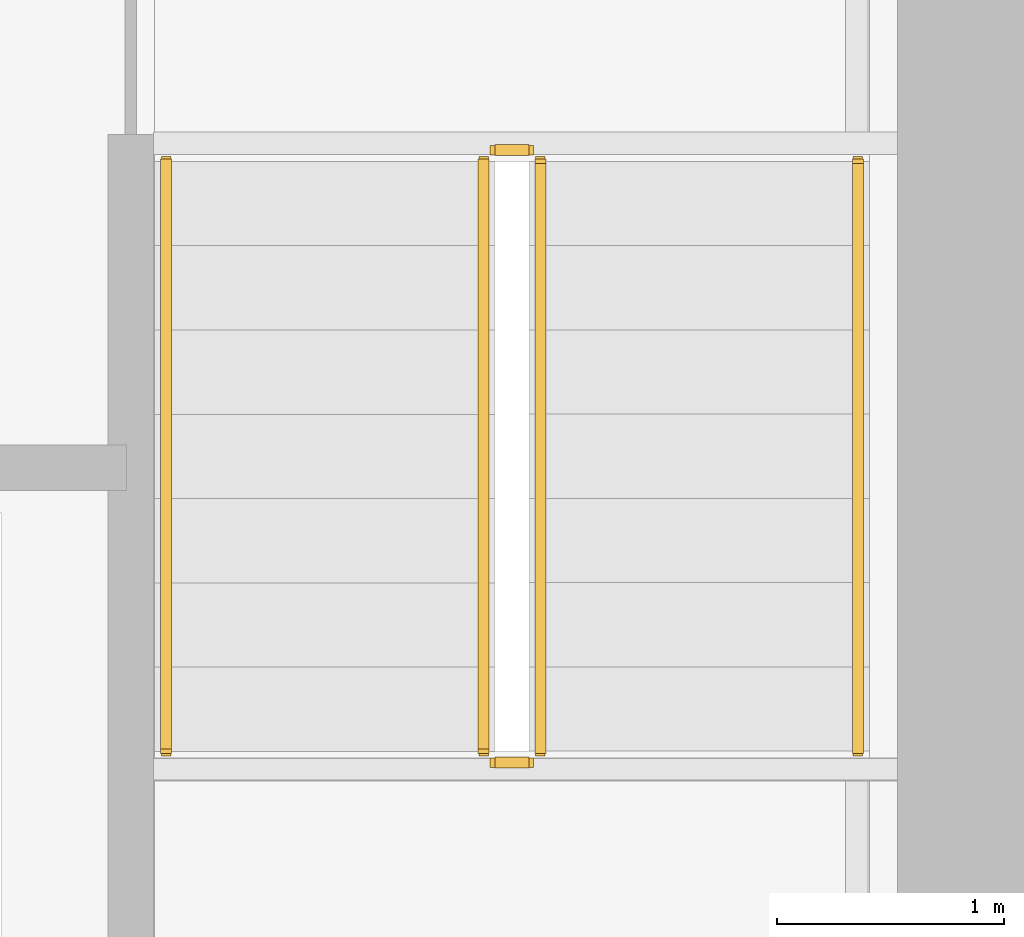
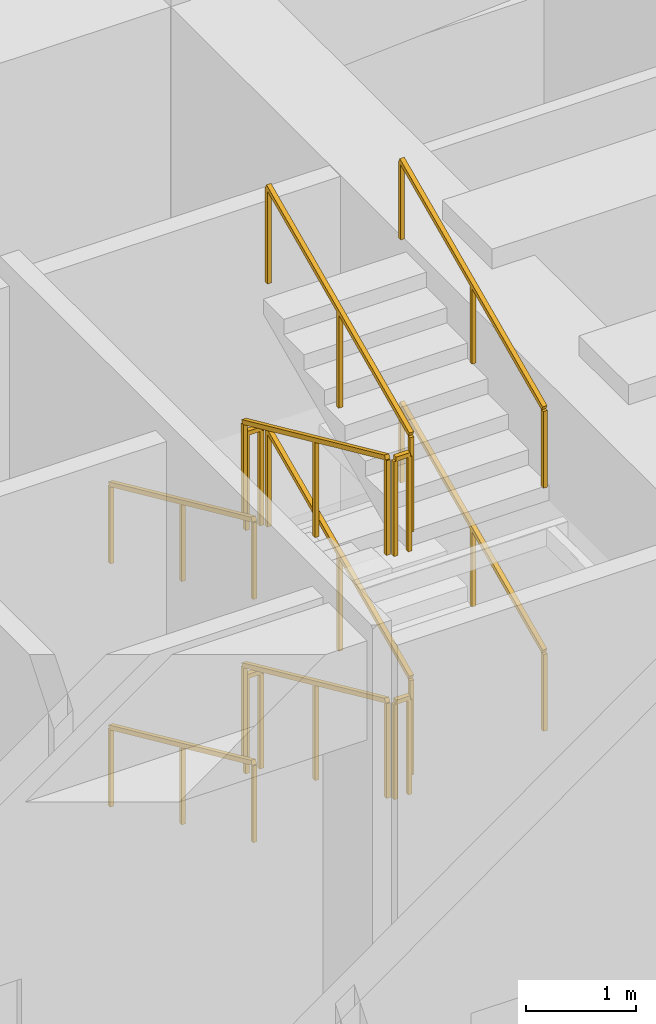
# One storey, part 11 of 12: 12 railings.
"""IFC4 building model written with IfcOpenShell, lengths in metres."""

from ifc_helpers import new_model, si_unit, direction, frame, origin, origin_2d, place, context, subcontext, project, spatial, rectangle, extrude, material, type_object, element, save


model = new_model("IFC4")

# Units and contexts
model_context = context("Model", 3, precision=1e-05, world=origin(), true_north=direction((0.0, 1.0)))
body_context = subcontext(model_context, "Body", "Model", "MODEL_VIEW")
ifc_project = project(units=[si_unit("LENGTHUNIT", "METRE"), si_unit("AREAUNIT", "SQUARE_METRE"), si_unit("VOLUMEUNIT", "CUBIC_METRE"), si_unit("PLANEANGLEUNIT", "RADIAN"), si_unit("MASSUNIT", "GRAM", prefix="KILO")], contexts=[model_context])

# Site, building, storey
site_placement = place(None, origin())
site = spatial("IfcSite", under=ifc_project, at=site_placement, CompositionType="ELEMENT")
building_placement = place(site_placement, origin())
building = spatial("IfcBuilding", under=site, at=building_placement, Name="Cinnabar Lancet Tower", CompositionType="ELEMENT")
storey_placement = place(building_placement, frame((0.0, 0.0, 19.5)))
storey = spatial("IfcBuildingStorey", under=building, at=storey_placement, Name="L04", CompositionType="ELEMENT", Elevation=19.5)

# Railings
ifc_material_1 = material(Name="Painted galvanized steel balustrade", Category="steel")
railing_type_1 = type_object("IfcRailingType", Name="GUARD-STAIR", PredefinedType="GUARDRAIL", material=ifc_material_1)
railing_1_placement = place(storey_placement, frame((39.574951171875, 28.39990234375, 0.168701171875)))
element("IfcRailing", 1, at=railing_1_placement, inside=storey, type_object=railing_type_1, Name="L04 ST-2 stair guard 1", PredefinedType="GUARDRAIL", context=body_context, shape_type="SweptSolid", body=[
    extrude(rectangle(XDim=0.048095703125, YDim=0.048095703125, at=origin_2d()), frame((0.0, 0.0, 1.076171875), z_axis=(0.0, -0.910398683421, 0.413732083872), x_axis=(1.0, 0.0, 0.0)), (0.0, 0.0, 1.0), 2.85546875),
    extrude(rectangle(XDim=0.0419921875, YDim=0.0419921875, at=origin_2d()), origin(), (0.0, 0.0, 1.0), 1.052001953125),
    extrude(rectangle(XDim=0.0419921875, YDim=0.0419921875, at=origin_2d()), frame((0.0, -1.2998046875, 0.5908203125)), (0.0, 0.0, 1.0), 1.052001953125),
    extrude(rectangle(XDim=0.0419921875, YDim=0.0419921875, at=origin_2d()), frame((0.0, -2.599609375, 1.181396484375)), (0.0, 0.0, 1.0), 1.052001953125),
])
railing_2_placement = place(storey_placement, frame((39.625, 25.750244140625, 1.35009765625)))
element("IfcRailing", 2, at=railing_2_placement, inside=storey, type_object=railing_type_1, Name="L04 ST-2 stair guard 2", PredefinedType="GUARDRAIL", context=body_context, shape_type="SweptSolid", body=[
    extrude(rectangle(XDim=0.048095703125, YDim=0.048095703125, at=origin_2d()), frame((0.0, 0.0, 1.076171875), z_axis=(1.0, 0.0, 0.0), x_axis=(0.0, 1.0, 0.0)), (0.0, 0.0, 1.0), 0.14990234375),
    extrude(rectangle(XDim=0.0419921875, YDim=0.0419921875, at=origin_2d()), origin(), (0.0, 0.0, 1.0), 1.052001953125),
    extrude(rectangle(XDim=0.0419921875, YDim=0.0419921875, at=origin_2d()), frame((0.14990234375, 0.0, 0.0)), (0.0, 0.0, 1.0), 1.052001953125),
])
railing_3_placement = place(storey_placement, frame((39.824951171875, 25.80029296875, 1.518798828125)))
element("IfcRailing", 3, at=railing_3_placement, inside=storey, type_object=railing_type_1, Name="L04 ST-2 stair guard 3", PredefinedType="GUARDRAIL", context=body_context, shape_type="SweptSolid", body=[
    extrude(rectangle(XDim=0.048095703125, YDim=0.048095703125, at=origin_2d()), frame((0.0, 0.0, 1.076171875), z_axis=(0.0, 0.910430886142, 0.413661215923), x_axis=(-1.0, 0.0, 0.0)), (0.0, 0.0, 1.0), 2.85546875),
    extrude(rectangle(XDim=0.0419921875, YDim=0.0419921875, at=origin_2d()), origin(), (0.0, 0.0, 1.0), 1.052001953125),
    extrude(rectangle(XDim=0.0419921875, YDim=0.0419921875, at=origin_2d()), frame((0.0, 1.2998046875, 0.590576171875)), (0.0, 0.0, 1.0), 1.052001953125),
    extrude(rectangle(XDim=0.0419921875, YDim=0.0419921875, at=origin_2d()), frame((0.0, 2.599609375, 1.18115234375)), (0.0, 0.0, 1.0), 1.052001953125),
])
railing_4_placement = place(storey_placement, frame((39.625, 28.449951171875, 2.699951171875)))
element("IfcRailing", 4, at=railing_4_placement, inside=storey, type_object=railing_type_1, Name="L04 ST-2 stair guard 4", PredefinedType="GUARDRAIL", context=body_context, shape_type="SweptSolid", body=[
    extrude(rectangle(XDim=0.048095703125, YDim=0.048095703125, at=origin_2d()), frame((0.0, 0.0, 1.076171875), z_axis=(1.0, 0.0, 0.0), x_axis=(0.0, 1.0, 0.0)), (0.0, 0.0, 1.0), 0.14990234375),
    extrude(rectangle(XDim=0.0419921875, YDim=0.0419921875, at=origin_2d()), origin(), (0.0, 0.0, 1.0), 1.052001953125),
    extrude(rectangle(XDim=0.0419921875, YDim=0.0419921875, at=origin_2d()), frame((0.14990234375, 0.0, 0.0)), (0.0, 0.0, 1.0), 1.052001953125),
])
railing_5_placement = place(storey_placement, frame((39.574951171875, 28.39990234375, 2.86865234375)))
element("IfcRailing", 5, at=railing_5_placement, inside=storey, type_object=railing_type_1, Name="L04 ST-2 stair guard 5", PredefinedType="GUARDRAIL", context=body_context, shape_type="SweptSolid", body=[
    extrude(rectangle(XDim=0.048095703125, YDim=0.048095703125, at=origin_2d()), frame((0.0, 0.0, 1.076171875), z_axis=(0.0, -0.910398683421, 0.413732083872), x_axis=(1.0, 0.0, 0.0)), (0.0, 0.0, 1.0), 2.85546875),
    extrude(rectangle(XDim=0.0419921875, YDim=0.0419921875, at=origin_2d()), origin(), (0.0, 0.0, 1.0), 1.052001953125),
    extrude(rectangle(XDim=0.0419921875, YDim=0.0419921875, at=origin_2d()), frame((0.0, -1.2998046875, 0.5908203125)), (0.0, 0.0, 1.0), 1.052001953125),
    extrude(rectangle(XDim=0.0419921875, YDim=0.0419921875, at=origin_2d()), frame((0.0, -2.599609375, 1.181396484375)), (0.0, 0.0, 1.0), 1.052001953125),
])
railing_6_placement = place(storey_placement, frame((39.625, 25.750244140625, 4.050048828125)))
element("IfcRailing", 6, at=railing_6_placement, inside=storey, type_object=railing_type_1, Name="L04 ST-2 stair guard 6", PredefinedType="GUARDRAIL", context=body_context, shape_type="SweptSolid", body=[
    extrude(rectangle(XDim=0.048095703125, YDim=0.048095703125, at=origin_2d()), frame((0.0, 0.0, 1.076171875), z_axis=(1.0, 0.0, 0.0), x_axis=(0.0, 1.0, 0.0)), (0.0, 0.0, 1.0), 0.14990234375),
    extrude(rectangle(XDim=0.0419921875, YDim=0.0419921875, at=origin_2d()), origin(), (0.0, 0.0, 1.0), 1.052001953125),
    extrude(rectangle(XDim=0.0419921875, YDim=0.0419921875, at=origin_2d()), frame((0.14990234375, 0.0, 0.0)), (0.0, 0.0, 1.0), 1.052001953125),
])
railing_7_placement = place(storey_placement, frame((39.824951171875, 25.80029296875, 4.21875)))
element("IfcRailing", 7, at=railing_7_placement, inside=storey, type_object=railing_type_1, Name="L04 ST-2 stair guard 7", PredefinedType="GUARDRAIL", context=body_context, shape_type="SweptSolid", body=[
    extrude(rectangle(XDim=0.048095703125, YDim=0.048095703125, at=origin_2d()), frame((0.0, 0.0, 1.076171875), z_axis=(0.0, 0.910430886142, 0.413661215923), x_axis=(-1.0, 0.0, 0.0)), (0.0, 0.0, 1.0), 2.85546875),
    extrude(rectangle(XDim=0.0419921875, YDim=0.0419921875, at=origin_2d()), origin(), (0.0, 0.0, 1.0), 1.052001953125),
    extrude(rectangle(XDim=0.0419921875, YDim=0.0419921875, at=origin_2d()), frame((0.0, 1.2998046875, 0.590576171875)), (0.0, 0.0, 1.0), 1.052001953125),
    extrude(rectangle(XDim=0.0419921875, YDim=0.0419921875, at=origin_2d()), frame((0.0, 2.599609375, 1.18115234375)), (0.0, 0.0, 1.0), 1.052001953125),
])
railing_8_placement = place(storey_placement, frame((39.625, 28.449951171875, 0.0)))
element("IfcRailing", 8, at=railing_8_placement, inside=storey, type_object=railing_type_1, Name="L04 ST-2 stair guard 8", PredefinedType="GUARDRAIL", context=body_context, shape_type="SweptSolid", body=[
    extrude(rectangle(XDim=0.048095703125, YDim=0.048095703125, at=origin_2d()), frame((0.0, 0.0, 1.076171875), z_axis=(1.0, 0.0, 0.0), x_axis=(0.0, 1.0, 0.0)), (0.0, 0.0, 1.0), 0.14990234375),
    extrude(rectangle(XDim=0.0419921875, YDim=0.0419921875, at=origin_2d()), origin(), (0.0, 0.0, 1.0), 1.052001953125),
    extrude(rectangle(XDim=0.0419921875, YDim=0.0419921875, at=origin_2d()), frame((0.14990234375, 0.0, 0.0)), (0.0, 0.0, 1.0), 1.052001953125),
])
ifc_material_2 = material(Name="Brushed stainless steel handrail", Category="steel")
railing_type_2 = type_object("IfcRailingType", Name="HANDRAIL-STAIR", PredefinedType="HANDRAIL", material=ifc_material_2)
railing_9_placement = place(storey_placement, frame((38.175048828125, 28.39990234375, 0.168701171875)))
element("IfcRailing", 9, at=railing_9_placement, inside=storey, type_object=railing_type_2, Name="L04 ST-2 stair handrail 1", PredefinedType="HANDRAIL", context=body_context, shape_type="SweptSolid", body=[
    extrude(rectangle(XDim=0.048095703125, YDim=0.048095703125, at=origin_2d()), frame((0.0, 0.0, 0.8759765625), z_axis=(0.0, -0.910398683421, 0.413732083872), x_axis=(1.0, 0.0, 0.0)), (0.0, 0.0, 1.0), 2.85546875),
    extrude(rectangle(XDim=0.0419921875, YDim=0.0419921875, at=origin_2d()), origin(), (0.0, 0.0, 1.0), 0.851806640625),
    extrude(rectangle(XDim=0.0419921875, YDim=0.0419921875, at=origin_2d()), frame((0.0, -1.2998046875, 0.5908203125)), (0.0, 0.0, 1.0), 0.851806640625),
    extrude(rectangle(XDim=0.0419921875, YDim=0.0419921875, at=origin_2d()), frame((0.0, -2.599609375, 1.181396484375)), (0.0, 0.0, 1.0), 0.851806640625),
])
railing_10_placement = place(storey_placement, frame((41.22509765625, 25.80029296875, 1.518798828125)))
element("IfcRailing", 10, at=railing_10_placement, inside=storey, type_object=railing_type_2, Name="L04 ST-2 stair handrail 2", PredefinedType="HANDRAIL", context=body_context, shape_type="SweptSolid", body=[
    extrude(rectangle(XDim=0.048095703125, YDim=0.048095703125, at=origin_2d()), frame((0.0, 0.0, 0.8759765625), z_axis=(0.0, 0.910430886142, 0.413661215923), x_axis=(-1.0, 0.0, 0.0)), (0.0, 0.0, 1.0), 2.85546875),
    extrude(rectangle(XDim=0.0419921875, YDim=0.0419921875, at=origin_2d()), origin(), (0.0, 0.0, 1.0), 0.851806640625),
    extrude(rectangle(XDim=0.0419921875, YDim=0.0419921875, at=origin_2d()), frame((0.0, 1.2998046875, 0.590576171875)), (0.0, 0.0, 1.0), 0.851806640625),
    extrude(rectangle(XDim=0.0419921875, YDim=0.0419921875, at=origin_2d()), frame((0.0, 2.599609375, 1.18115234375)), (0.0, 0.0, 1.0), 0.851806640625),
])
railing_11_placement = place(storey_placement, frame((38.175048828125, 28.39990234375, 2.86865234375)))
element("IfcRailing", 11, at=railing_11_placement, inside=storey, type_object=railing_type_2, Name="L04 ST-2 stair handrail 3", PredefinedType="HANDRAIL", context=body_context, shape_type="SweptSolid", body=[
    extrude(rectangle(XDim=0.048095703125, YDim=0.048095703125, at=origin_2d()), frame((0.0, 0.0, 0.8759765625), z_axis=(0.0, -0.910398683421, 0.413732083872), x_axis=(1.0, 0.0, 0.0)), (0.0, 0.0, 1.0), 2.85546875),
    extrude(rectangle(XDim=0.0419921875, YDim=0.0419921875, at=origin_2d()), origin(), (0.0, 0.0, 1.0), 0.851806640625),
    extrude(rectangle(XDim=0.0419921875, YDim=0.0419921875, at=origin_2d()), frame((0.0, -1.2998046875, 0.5908203125)), (0.0, 0.0, 1.0), 0.851806640625),
    extrude(rectangle(XDim=0.0419921875, YDim=0.0419921875, at=origin_2d()), frame((0.0, -2.599609375, 1.181396484375)), (0.0, 0.0, 1.0), 0.851806640625),
])
railing_12_placement = place(storey_placement, frame((41.22509765625, 25.80029296875, 4.21875)))
element("IfcRailing", 12, at=railing_12_placement, inside=storey, type_object=railing_type_2, Name="L04 ST-2 stair handrail 4", PredefinedType="HANDRAIL", context=body_context, shape_type="SweptSolid", body=[
    extrude(rectangle(XDim=0.048095703125, YDim=0.048095703125, at=origin_2d()), frame((0.0, 0.0, 0.8759765625), z_axis=(0.0, 0.910430886142, 0.413661215923), x_axis=(-1.0, 0.0, 0.0)), (0.0, 0.0, 1.0), 2.85546875),
    extrude(rectangle(XDim=0.0419921875, YDim=0.0419921875, at=origin_2d()), origin(), (0.0, 0.0, 1.0), 0.851806640625),
    extrude(rectangle(XDim=0.0419921875, YDim=0.0419921875, at=origin_2d()), frame((0.0, 1.2998046875, 0.590576171875)), (0.0, 0.0, 1.0), 0.851806640625),
    extrude(rectangle(XDim=0.0419921875, YDim=0.0419921875, at=origin_2d()), frame((0.0, 2.599609375, 1.18115234375)), (0.0, 0.0, 1.0), 0.851806640625),
])

save(model, "model.ifc")
